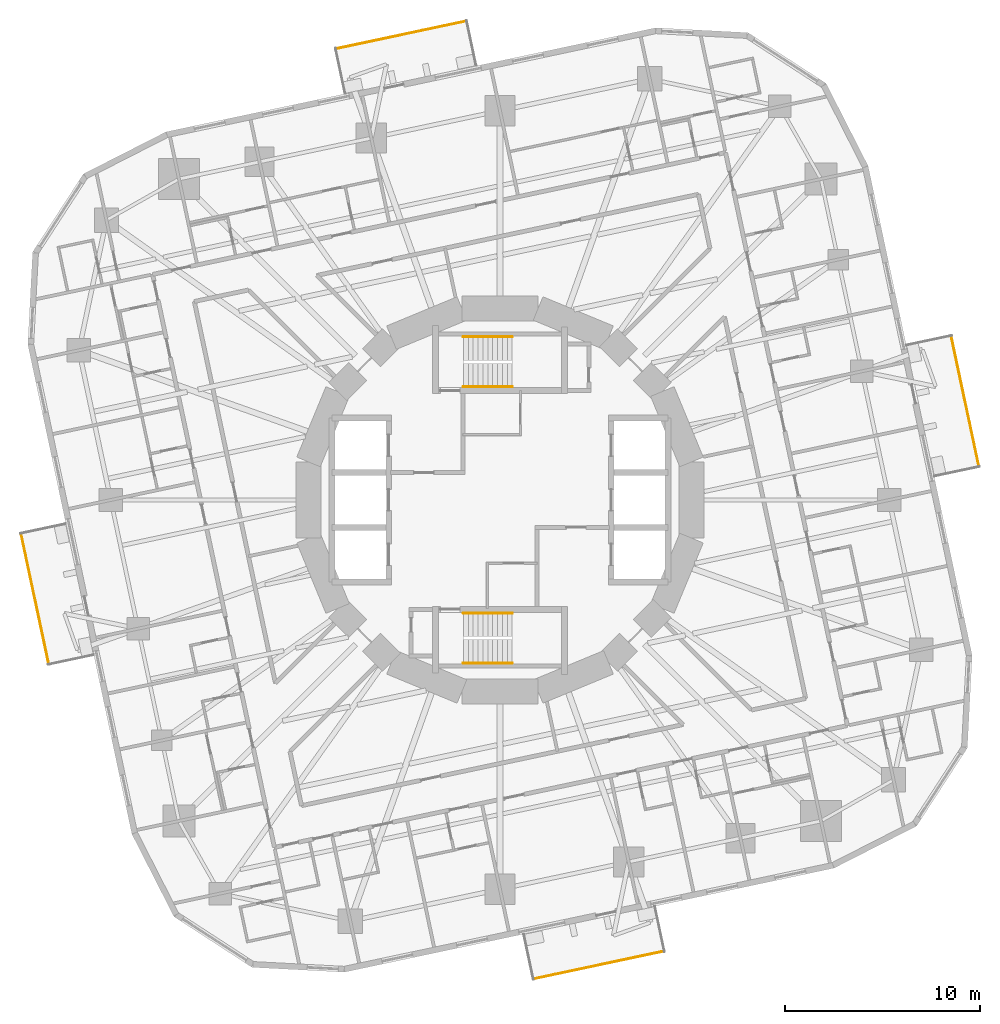
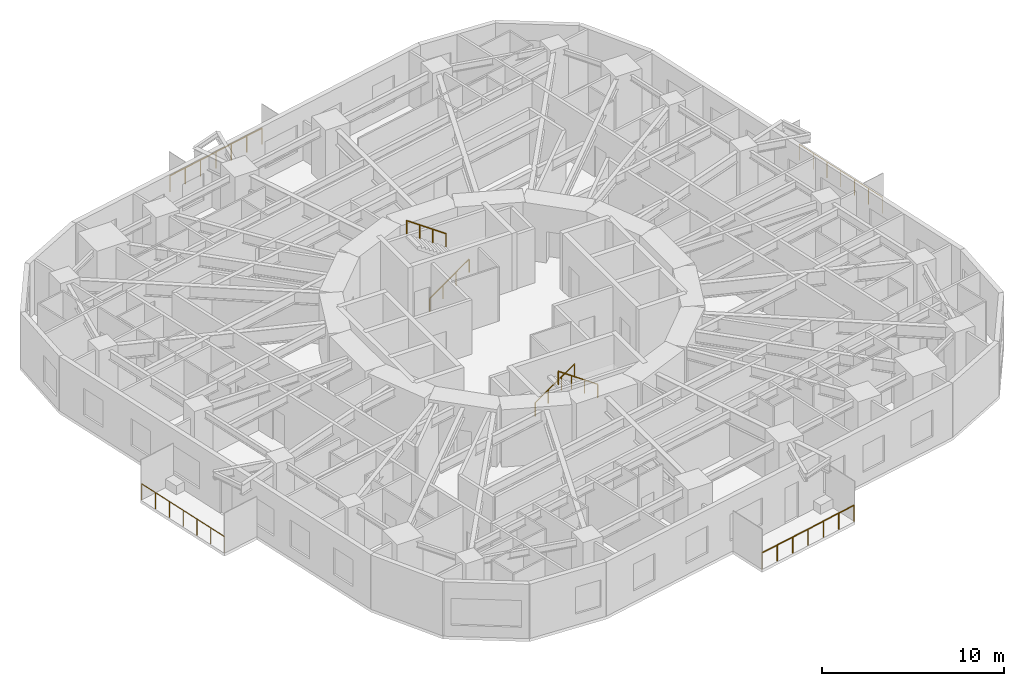
# One storey, part 13 of 14: 8 railings.
"""IFC4 building model written with IfcOpenShell, lengths in metres."""

import ifcopenshell
import ifcopenshell.guid

model = None  # the IFC model being written
_history = None  # IfcOwnerHistory: only IFC2X3 demands one
_inside = {}  # id of a spatial element -> (the spatial element, [elements in it])
_under = {}  # id of a project, library or spatial element -> (it, [spatial elements below it])
_declared = {}  # id of a project -> (the project, [libraries it declares])
_typed = {}  # id of a type object -> (the type object, [elements of that type])
_made_of = {}  # id of a material, layer set ... -> (it, [elements and type objects made of it])


def new_model(schema):
    """Start an empty IFC model of exactly this schema.

    Asked for "IFC4X3", IfcOpenShell would pick the latest addendum, in which some entities
    have other attributes; the version numbers below select the first issue.
    IFC2X3 requires an IfcOwnerHistory on every rooted entity: one is made here for all.
    """
    global model, _history
    if schema == "IFC4X3":
        model = ifcopenshell.file(schema_version=(4, 3, 0, 0))
    else:
        model = ifcopenshell.file(schema=schema)
    _inside.clear()
    _under.clear()
    _declared.clear()
    _typed.clear()
    _made_of.clear()
    _history = None
    if model.schema == "IFC2X3":
        org = make("IfcOrganization", Name="unknown")
        user = make(
            "IfcPersonAndOrganization",
            ThePerson=make("IfcPerson", FamilyName="unknown"),
            TheOrganization=org,
        )
        app = make(
            "IfcApplication",
            ApplicationDeveloper=org,
            Version="unknown",
            ApplicationFullName="unknown",
            ApplicationIdentifier="unknown",
        )
        _history = make(
            "IfcOwnerHistory",
            OwningUser=user,
            OwningApplication=app,
            ChangeAction="ADDED",
            CreationDate=0,
        )
    return model


def make(cls, **values):
    """One entity of the class cls with the attributes given. An attribute that is None is left unset."""
    return model.create_entity(
        cls, **{name: value for name, value in values.items() if value is not None}
    )


def rooted(cls, **values):
    """An entity with a GlobalId (a new one), such as an element, a storey or a relation."""
    return make(cls, GlobalId=ifcopenshell.guid.new(), OwnerHistory=_history, **values)


def si_unit(unit_type, name, prefix=None):
    """IfcSIUnit, for example si_unit("LENGTHUNIT", "METRE", prefix="MILLI")."""
    return make("IfcSIUnit", UnitType=unit_type, Prefix=prefix, Name=name)


def assignment(units):
    """IfcUnitAssignment: the units of a project."""
    return None if units is None else make("IfcUnitAssignment", Units=units)


def point(xyz):
    """IfcCartesianPoint."""
    return None if xyz is None else make("IfcCartesianPoint", Coordinates=xyz)


def direction(xyz):
    """IfcDirection."""
    return None if xyz is None else make("IfcDirection", DirectionRatios=xyz)


def frame(location, z_axis=None, x_axis=None):
    """IfcAxis2Placement3D, a coordinate frame: its origin and axes. An axis left out is left unset."""
    return make(
        "IfcAxis2Placement3D",
        Location=point(location),
        Axis=direction(z_axis),
        RefDirection=direction(x_axis),
    )


def frame_2d(location, x_axis=None):
    """IfcAxis2Placement2D, a coordinate frame in the plane: its origin and x axis."""
    return make(
        "IfcAxis2Placement2D", Location=point(location), RefDirection=direction(x_axis)
    )


def origin():
    """The frame at (0, 0, 0) with its axes left unset."""
    return frame((0.0, 0.0, 0.0))


def origin_2d():
    """The frame at (0, 0) in the plane with its x axis left unset."""
    return frame_2d((0.0, 0.0))


def place(relative_to, where):
    """IfcLocalPlacement: puts the frame where relative to a parent placement (None: the world)."""
    return make(
        "IfcLocalPlacement", PlacementRelTo=relative_to, RelativePlacement=where
    )


def context(
    kind, dimensions, precision=None, world=None, true_north=None, identifier=None
):
    """IfcGeometricRepresentationContext, for example the 3D "Model" context."""
    return make(
        "IfcGeometricRepresentationContext",
        ContextIdentifier=identifier,
        ContextType=kind,
        CoordinateSpaceDimension=dimensions,
        Precision=precision,
        WorldCoordinateSystem=world,
        TrueNorth=true_north,
    )


def subcontext(parent, identifier, kind, view, scale=None):
    """IfcGeometricRepresentationSubContext, for example "Body" below "Model"."""
    return make(
        "IfcGeometricRepresentationSubContext",
        ContextIdentifier=identifier,
        ContextType=kind,
        ParentContext=parent,
        TargetScale=scale,
        TargetView=view,
    )


def project(units=None, contexts=None):
    """IfcProject with its units and contexts."""
    return rooted(
        "IfcProject",
        Name="project",
        RepresentationContexts=contexts,
        UnitsInContext=assignment(units),
    )


def spatial(cls, under=None, at=None, **own):
    """A site, building, storey or space (cls), placed at a placement, below another one or the project."""
    s = rooted(cls, ObjectPlacement=at, **own)
    if under is not None:
        _under.setdefault(under.id(), (under, []))[1].append(s)
    return s


def profile(cls, at=None, kind="AREA", **sizes):
    """A parametric profile (cls). Its sizes go by their IFC names, for example OverallWidth=200.0."""
    return make(cls, ProfileType=kind, Position=at, **sizes)


def circle(**sizes):
    """IfcCircleProfileDef."""
    return profile("IfcCircleProfileDef", **sizes)


def extrude(swept, where, along, depth):
    """IfcExtrudedAreaSolid: the profile swept, set in the frame where, extruded along a direction by depth."""
    return make(
        "IfcExtrudedAreaSolid",
        SweptArea=swept,
        Position=where,
        ExtrudedDirection=direction(along),
        Depth=depth,
    )


def shape(context_of_items, identifier, shape_type, items):
    """IfcShapeRepresentation: the items that make up one representation, for example the "Body"."""
    return make(
        "IfcShapeRepresentation",
        ContextOfItems=context_of_items,
        RepresentationIdentifier=identifier,
        RepresentationType=shape_type,
        Items=items,
    )


def material(Name=None, Category=None):
    """IfcMaterial."""
    return make("IfcMaterial", Name=Name, Category=Category)


def made_of(thing, what):
    """Note that an element or type object is made of a material, layer set ...; save() writes the relation."""
    if what is not None:
        _made_of.setdefault(what.id(), (what, []))[1].append(thing)
    return thing


def type_object(cls, material=None, **own):
    """A type object (cls), such as IfcWallType, which elements share."""
    return made_of(rooted(cls, **own), material)


def element(
    cls,
    number,
    at=None,
    inside=None,
    cuts=None,
    type_object=None,
    material=None,
    context=None,
    identifier="Body",
    shape_type=None,
    held_by="IfcProductDefinitionShape",
    body=None,
    shapes=None,
    **own,
):
    """One element of the class cls, such as IfcWall. Its Tag is "e" and its number.

    at: its placement. inside: the storey or other place that contains it. cuts: it is an
    opening in that element (IfcRelVoidsElement). A single representation is given by context,
    identifier, shape_type and body (its items); several are given by shapes. held_by: the class
    of the entity that holds the representations. save() writes the other relations.
    """
    e = rooted(cls, Tag="e%d" % number, ObjectPlacement=at, **own)
    if body is not None:
        shapes = [shape(context, identifier, shape_type, body)]
    if shapes is not None:
        e.Representation = make(held_by, Representations=shapes)
    if inside is not None:
        _inside.setdefault(inside.id(), (inside, []))[1].append(e)
    if cuts is not None:
        rooted(
            "IfcRelVoidsElement", RelatingBuildingElement=cuts, RelatedOpeningElement=e
        )
    if type_object is not None:
        _typed.setdefault(type_object.id(), (type_object, []))[1].append(e)
    return made_of(e, material)


def aggregate(whole, parts):
    """IfcRelAggregates: a whole, such as a stair, and the parts it consists of."""
    return rooted("IfcRelAggregates", RelatingObject=whole, RelatedObjects=parts)


def save(model, path):
    """Write the relations noted so far, then the file.

    IfcRelAggregates (storeys below a building ...), IfcRelContainedInSpatialStructure (elements
    in a storey), IfcRelDefinesByType, IfcRelAssociatesMaterial and IfcRelDeclares: one each for
    every whole, place, type object, material and project.
    """
    for whole, parts in _under.values():
        aggregate(whole, parts)
    for where, things in _inside.values():
        rooted(
            "IfcRelContainedInSpatialStructure",
            RelatedElements=things,
            RelatingStructure=where,
        )
    for kind, things in _typed.values():
        rooted("IfcRelDefinesByType", RelatedObjects=things, RelatingType=kind)
    for what, things in _made_of.values():
        rooted("IfcRelAssociatesMaterial", RelatedObjects=things, RelatingMaterial=what)
    for by, libraries in _declared.values():
        rooted("IfcRelDeclares", RelatingContext=by, RelatedDefinitions=libraries)
    model.write(path)


model = new_model("IFC4")

# Units and contexts
model_context = context("Model", 3, precision=1e-05, world=origin(), true_north=direction((0.0, 1.0)))
body_context = subcontext(model_context, "Body", "Model", "MODEL_VIEW")
ifc_project = project(units=[si_unit("LENGTHUNIT", "METRE"), si_unit("AREAUNIT", "SQUARE_METRE"), si_unit("VOLUMEUNIT", "CUBIC_METRE"), si_unit("PLANEANGLEUNIT", "RADIAN"), si_unit("MASSUNIT", "GRAM", prefix="KILO")], contexts=[model_context])

# Site, building, storey
site_placement = place(None, origin())
site = spatial("IfcSite", under=ifc_project, at=site_placement, CompositionType="ELEMENT")
building_placement = place(site_placement, origin())
building = spatial("IfcBuilding", under=site, at=building_placement, Name="Nakasero Lantern House", CompositionType="ELEMENT")
storey_placement = place(building_placement, frame((0.0, 0.0, 124.25)))
storey = spatial("IfcBuildingStorey", under=building, at=storey_placement, Name="L30", CompositionType="ELEMENT", Elevation=124.25)

# Railings
ifc_material_1 = material(Name="Aluminium 6063-T6", Category="aluminium")
railing_type_1 = type_object("IfcRailingType", Name="Balcony guard 1100", PredefinedType="BALUSTRADE", material=ifc_material_1)
railing_1_placement = place(storey_placement, frame((24.52685546875, 1.72705078125, 0.0)))
element("IfcRailing", 1, at=railing_1_placement, inside=storey, type_object=railing_type_1, Name="Balcony guard L30 BAL0", PredefinedType="BALUSTRADE", context=body_context, shape_type="SweptSolid", body=[
    extrude(circle(Radius=0.02392578125, at=origin_2d()), frame((0.0, 0.0, 1.076171875), z_axis=(-0.207907990246, 0.978148387307, 0.0), x_axis=(-0.978148387307, -0.207907990246, 0.0)), (0.0, 0.0, 1.0), 6.820068359375),
    extrude(circle(Radius=0.02099609375, at=origin_2d()), origin(), (0.0, 0.0, 1.0), 1.052001953125),
    extrude(circle(Radius=0.02099609375, at=origin_2d()), frame((-0.236328125, 1.11181640625, 0.0)), (0.0, 0.0, 1.0), 1.052001953125),
    extrude(circle(Radius=0.02099609375, at=origin_2d()), frame((-0.47265625, 2.2236328125, 0.0)), (0.0, 0.0, 1.0), 1.052001953125),
    extrude(circle(Radius=0.02099609375, at=origin_2d()), frame((-0.708984375, 3.33544921875, 0.0)), (0.0, 0.0, 1.0), 1.052001953125),
    extrude(circle(Radius=0.02099609375, at=origin_2d()), frame((-0.9453125, 4.447509765625, 0.0)), (0.0, 0.0, 1.0), 1.052001953125),
    extrude(circle(Radius=0.02099609375, at=origin_2d()), frame((-1.181640625, 5.559326171875, 0.0)), (0.0, 0.0, 1.0), 1.052001953125),
    extrude(circle(Radius=0.02099609375, at=origin_2d()), frame((-1.41796875, 6.671142578125, 0.0)), (0.0, 0.0, 1.0), 1.052001953125),
])
railing_2_placement = place(storey_placement, frame((-1.72705078125, 24.52685546875, 0.0)))
element("IfcRailing", 2, at=railing_2_placement, inside=storey, type_object=railing_type_1, Name="Balcony guard L30 BAL1", PredefinedType="BALUSTRADE", context=body_context, shape_type="SweptSolid", body=[
    extrude(circle(Radius=0.02392578125, at=origin_2d()), frame((0.0, 0.0, 1.076171875), z_axis=(-0.978148387307, -0.207907990246, 0.0), x_axis=(0.207907990246, -0.978148387307, 0.0)), (0.0, 0.0, 1.0), 6.820068359375),
    extrude(circle(Radius=0.02099609375, at=origin_2d()), origin(), (0.0, 0.0, 1.0), 1.052001953125),
    extrude(circle(Radius=0.02099609375, at=origin_2d()), frame((-1.11181640625, -0.236328125, 0.0)), (0.0, 0.0, 1.0), 1.052001953125),
    extrude(circle(Radius=0.02099609375, at=origin_2d()), frame((-2.2236328125, -0.47265625, 0.0)), (0.0, 0.0, 1.0), 1.052001953125),
    extrude(circle(Radius=0.02099609375, at=origin_2d()), frame((-3.33544921875, -0.708984375, 0.0)), (0.0, 0.0, 1.0), 1.052001953125),
    extrude(circle(Radius=0.02099609375, at=origin_2d()), frame((-4.447509765625, -0.9453125, 0.0)), (0.0, 0.0, 1.0), 1.052001953125),
    extrude(circle(Radius=0.02099609375, at=origin_2d()), frame((-5.559326171875, -1.181640625, 0.0)), (0.0, 0.0, 1.0), 1.052001953125),
    extrude(circle(Radius=0.02099609375, at=origin_2d()), frame((-6.671142578125, -1.41796875, 0.0)), (0.0, 0.0, 1.0), 1.052001953125),
])
railing_3_placement = place(storey_placement, frame((-24.52685546875, -1.72705078125, 0.0)))
element("IfcRailing", 3, at=railing_3_placement, inside=storey, type_object=railing_type_1, Name="Balcony guard L30 BAL2", PredefinedType="BALUSTRADE", context=body_context, shape_type="SweptSolid", body=[
    extrude(circle(Radius=0.02392578125, at=origin_2d()), frame((0.0, 0.0, 1.076171875), z_axis=(0.207907990246, -0.978148387307, 0.0), x_axis=(0.978148387307, 0.207907990246, 0.0)), (0.0, 0.0, 1.0), 6.820068359375),
    extrude(circle(Radius=0.02099609375, at=origin_2d()), origin(), (0.0, 0.0, 1.0), 1.052001953125),
    extrude(circle(Radius=0.02099609375, at=origin_2d()), frame((0.236328125, -1.11181640625, 0.0)), (0.0, 0.0, 1.0), 1.052001953125),
    extrude(circle(Radius=0.02099609375, at=origin_2d()), frame((0.47265625, -2.2236328125, 0.0)), (0.0, 0.0, 1.0), 1.052001953125),
    extrude(circle(Radius=0.02099609375, at=origin_2d()), frame((0.708984375, -3.33544921875, 0.0)), (0.0, 0.0, 1.0), 1.052001953125),
    extrude(circle(Radius=0.02099609375, at=origin_2d()), frame((0.9453125, -4.447509765625, 0.0)), (0.0, 0.0, 1.0), 1.052001953125),
    extrude(circle(Radius=0.02099609375, at=origin_2d()), frame((1.181640625, -5.559326171875, 0.0)), (0.0, 0.0, 1.0), 1.052001953125),
    extrude(circle(Radius=0.02099609375, at=origin_2d()), frame((1.41796875, -6.671142578125, 0.0)), (0.0, 0.0, 1.0), 1.052001953125),
])
railing_4_placement = place(storey_placement, frame((1.72705078125, -24.52685546875, 0.0)))
element("IfcRailing", 4, at=railing_4_placement, inside=storey, type_object=railing_type_1, Name="Balcony guard L30 BAL3", PredefinedType="BALUSTRADE", context=body_context, shape_type="SweptSolid", body=[
    extrude(circle(Radius=0.02392578125, at=origin_2d()), frame((0.0, 0.0, 1.076171875), z_axis=(0.978148387307, 0.207907990246, 0.0), x_axis=(-0.207907990246, 0.978148387307, 0.0)), (0.0, 0.0, 1.0), 6.820068359375),
    extrude(circle(Radius=0.02099609375, at=origin_2d()), origin(), (0.0, 0.0, 1.0), 1.052001953125),
    extrude(circle(Radius=0.02099609375, at=origin_2d()), frame((1.11181640625, 0.236328125, 0.0)), (0.0, 0.0, 1.0), 1.052001953125),
    extrude(circle(Radius=0.02099609375, at=origin_2d()), frame((2.2236328125, 0.47265625, 0.0)), (0.0, 0.0, 1.0), 1.052001953125),
    extrude(circle(Radius=0.02099609375, at=origin_2d()), frame((3.33544921875, 0.708984375, 0.0)), (0.0, 0.0, 1.0), 1.052001953125),
    extrude(circle(Radius=0.02099609375, at=origin_2d()), frame((4.447509765625, 0.9453125, 0.0)), (0.0, 0.0, 1.0), 1.052001953125),
    extrude(circle(Radius=0.02099609375, at=origin_2d()), frame((5.559326171875, 1.181640625, 0.0)), (0.0, 0.0, 1.0), 1.052001953125),
    extrude(circle(Radius=0.02099609375, at=origin_2d()), frame((6.671142578125, 1.41796875, 0.0)), (0.0, 0.0, 1.0), 1.052001953125),
])
ifc_material_2 = material(Name="Stainless steel 316", Category="steel")
railing_type_2 = type_object("IfcRailingType", Name="Stair handrail 900", PredefinedType="HANDRAIL", material=ifc_material_2)
railing_5_placement = place(storey_placement, frame((-1.875, 5.800048828125, 0.175048828125)))
element("IfcRailing", 5, at=railing_5_placement, inside=storey, type_object=railing_type_2, Name="Handrail ST1 L30 flight 1", PredefinedType="HANDRAIL", context=body_context, shape_type="SweptSolid", body=[
    extrude(circle(Radius=0.02392578125, at=origin_2d()), frame((0.0, 0.0, 0.8759765625), z_axis=(0.819231920519, 0.0, 0.573462344363), x_axis=(0.0, 1.0, 0.0)), (0.0, 0.0, 1.0), 3.0517578125),
    extrude(circle(Radius=0.02099609375, at=origin_2d()), origin(), (0.0, 0.0, 1.0), 0.851806640625),
    extrude(circle(Radius=0.02099609375, at=origin_2d()), frame((0.833251953125, 0.0, 0.583251953125)), (0.0, 0.0, 1.0), 0.851806640625),
    extrude(circle(Radius=0.02099609375, at=origin_2d()), frame((1.666748046875, 0.0, 1.166748046875)), (0.0, 0.0, 1.0), 0.851806640625),
    extrude(circle(Radius=0.02099609375, at=origin_2d()), frame((2.5, 0.0, 1.75)), (0.0, 0.0, 1.0), 0.851806640625),
])
railing_6_placement = place(storey_placement, frame((0.625, 8.35009765625, 2.10009765625)))
element("IfcRailing", 6, at=railing_6_placement, inside=storey, type_object=railing_type_2, Name="Handrail ST1 L30 flight 2", PredefinedType="HANDRAIL", context=body_context, shape_type="SweptSolid", body=[
    extrude(circle(Radius=0.02392578125, at=origin_2d()), frame((0.0, 0.0, 0.8759765625), z_axis=(-0.819231920519, 0.0, 0.573462344363), x_axis=(0.0, -1.0, 0.0)), (0.0, 0.0, 1.0), 3.0517578125),
    extrude(circle(Radius=0.02099609375, at=origin_2d()), origin(), (0.0, 0.0, 1.0), 0.851806640625),
    extrude(circle(Radius=0.02099609375, at=origin_2d()), frame((-0.833251953125, 0.0, 0.583251953125)), (0.0, 0.0, 1.0), 0.851806640625),
    extrude(circle(Radius=0.02099609375, at=origin_2d()), frame((-1.666748046875, 0.0, 1.166748046875)), (0.0, 0.0, 1.0), 0.851806640625),
    extrude(circle(Radius=0.02099609375, at=origin_2d()), frame((-2.5, 0.0, 1.75)), (0.0, 0.0, 1.0), 0.851806640625),
])
railing_7_placement = place(storey_placement, frame((-1.875, -5.800048828125, 0.175048828125)))
element("IfcRailing", 7, at=railing_7_placement, inside=storey, type_object=railing_type_2, Name="Handrail ST2 L30 flight 1", PredefinedType="HANDRAIL", context=body_context, shape_type="SweptSolid", body=[
    extrude(circle(Radius=0.02392578125, at=origin_2d()), frame((0.0, 0.0, 0.8759765625), z_axis=(0.819231920519, 0.0, 0.573462344363), x_axis=(0.0, 1.0, 0.0)), (0.0, 0.0, 1.0), 3.0517578125),
    extrude(circle(Radius=0.02099609375, at=origin_2d()), origin(), (0.0, 0.0, 1.0), 0.851806640625),
    extrude(circle(Radius=0.02099609375, at=origin_2d()), frame((0.833251953125, 0.0, 0.583251953125)), (0.0, 0.0, 1.0), 0.851806640625),
    extrude(circle(Radius=0.02099609375, at=origin_2d()), frame((1.666748046875, 0.0, 1.166748046875)), (0.0, 0.0, 1.0), 0.851806640625),
    extrude(circle(Radius=0.02099609375, at=origin_2d()), frame((2.5, 0.0, 1.75)), (0.0, 0.0, 1.0), 0.851806640625),
])
railing_8_placement = place(storey_placement, frame((0.625, -8.35009765625, 2.10009765625)))
element("IfcRailing", 8, at=railing_8_placement, inside=storey, type_object=railing_type_2, Name="Handrail ST2 L30 flight 2", PredefinedType="HANDRAIL", context=body_context, shape_type="SweptSolid", body=[
    extrude(circle(Radius=0.02392578125, at=origin_2d()), frame((0.0, 0.0, 0.8759765625), z_axis=(-0.819231920519, 0.0, 0.573462344363), x_axis=(0.0, -1.0, 0.0)), (0.0, 0.0, 1.0), 3.0517578125),
    extrude(circle(Radius=0.02099609375, at=origin_2d()), origin(), (0.0, 0.0, 1.0), 0.851806640625),
    extrude(circle(Radius=0.02099609375, at=origin_2d()), frame((-0.833251953125, 0.0, 0.583251953125)), (0.0, 0.0, 1.0), 0.851806640625),
    extrude(circle(Radius=0.02099609375, at=origin_2d()), frame((-1.666748046875, 0.0, 1.166748046875)), (0.0, 0.0, 1.0), 0.851806640625),
    extrude(circle(Radius=0.02099609375, at=origin_2d()), frame((-2.5, 0.0, 1.75)), (0.0, 0.0, 1.0), 0.851806640625),
])

save(model, "model.ifc")
